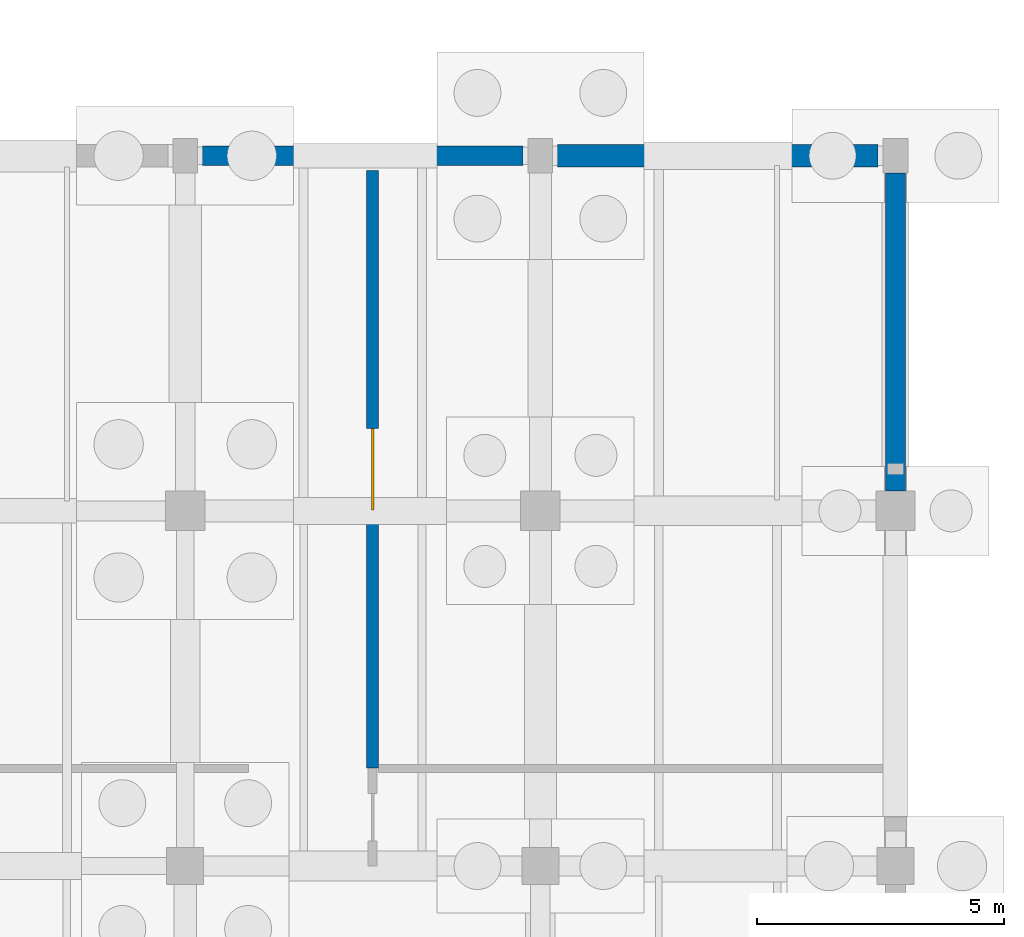
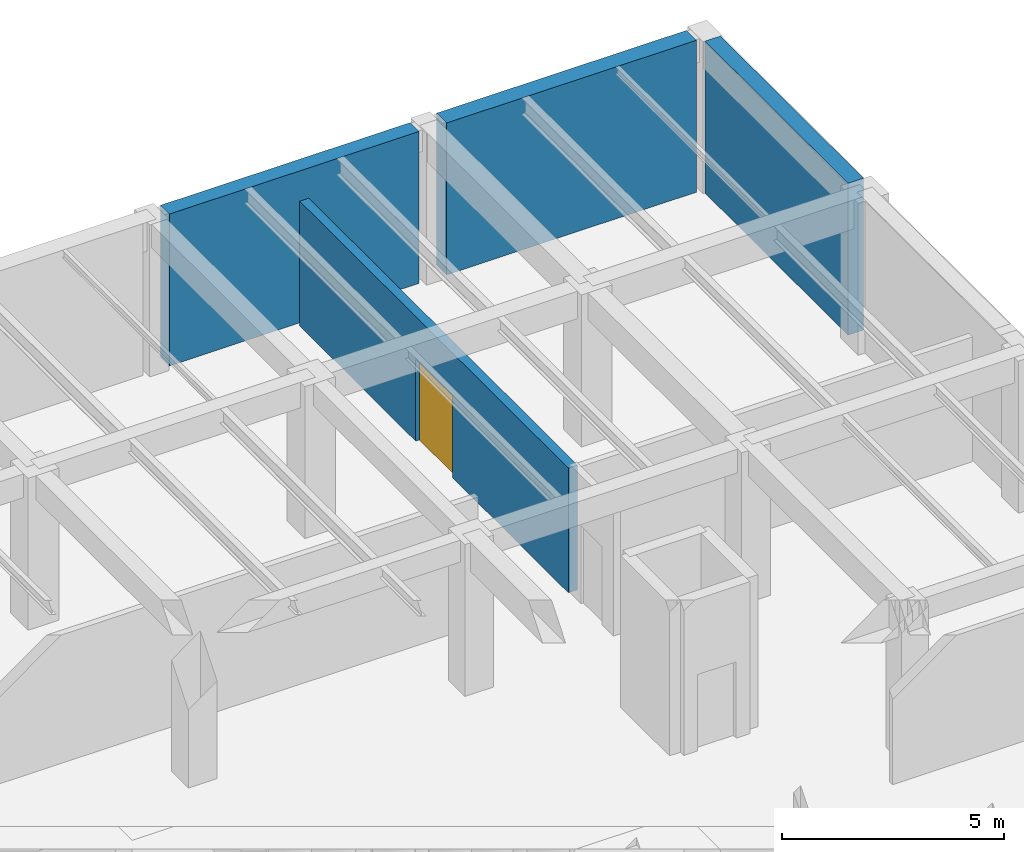
# One storey, part 50 of 63: 4 walls, 1 door, 1 opening.
"""IFC4 building model written with IfcOpenShell, lengths in metres."""

from ifc_helpers import new_model, si_unit, direction, frame, frame_2d, origin, place, context, subcontext, project, spatial, rectangle, extrude, material, layer, layer_set, type_object, element, fill, save


model = new_model("IFC4")

# Units and contexts
model_context = context("Model", 3, precision=1e-05, world=origin(), true_north=direction((0.0, 1.0)))
body_context = subcontext(model_context, "Body", "Model", "MODEL_VIEW")
ifc_project = project(units=[si_unit("LENGTHUNIT", "METRE"), si_unit("AREAUNIT", "SQUARE_METRE"), si_unit("VOLUMEUNIT", "CUBIC_METRE"), si_unit("PLANEANGLEUNIT", "RADIAN"), si_unit("MASSUNIT", "GRAM", prefix="KILO")], contexts=[model_context])

# Site, building, storey
site_placement = place(None, origin())
site = spatial("IfcSite", under=ifc_project, at=site_placement, CompositionType="ELEMENT")
building_placement = place(site_placement, origin())
building = spatial("IfcBuilding", under=site, at=building_placement, Name="Mazaris Harbour Polytechnic", CompositionType="ELEMENT")
storey_placement = place(building_placement, frame((0.0, 0.0, -4.5)))
storey = spatial("IfcBuildingStorey", under=building, at=storey_placement, Name="B1", CompositionType="ELEMENT", Elevation=-4.5)

# Wall, opening, door
ifc_material_1 = material(Name="Concrete C35/45", Category="concrete")
ifc_layer_1 = layer(ifc_material_1, 0.239990234375, Name="Concrete C35/45")
ifc_layer_set_1 = layer_set([ifc_layer_1], Name="Concrete C35/45")
wall_type_1 = type_object("IfcWallType", Name="Archive Vault Fire Wall 240", PredefinedType="STANDARD", material=ifc_layer_set_1)
wall_1_placement = place(storey_placement, frame((162.199951171875, 95.5849609375, 0.0), z_axis=(0.0, 0.0, 1.0), x_axis=(0.0, 1.0, 0.0)))
wall_1 = element("IfcWall", 1, at=wall_1_placement, inside=storey, type_object=wall_type_1, Name="V5 B1 Partition 541", PredefinedType="STANDARD", context=body_context, shape_type="SweptSolid", body=[
    extrude(rectangle(XDim=12.114990234375, YDim=0.239990234375, at=frame_2d((6.0576171875, 0.0))), origin(), (0.0, 0.0, 1.0), 3.429931640625),
])
opening_placement = place(wall_1_placement, frame((5.232421875, 0.0, 0.0)))
opening = element("IfcOpeningElement", 2, at=opening_placement, cuts=wall_1, Name="Opening ID-06D", PredefinedType="OPENING", context=body_context, shape_type="SweptSolid", body=[
    extrude(rectangle(XDim=1.64990234375, YDim=2.25, at=frame_2d((0.824951171875, 1.125))), frame((0.0, 0.1298828125, 0.0), z_axis=(0.0, -1.0, 0.0), x_axis=(1.0, 0.0, 0.0)), (0.0, 0.0, 1.0), 0.260009765625),
])
ifc_material_2 = material(Name="Galvanised Steel S355", Category="steel")
door_type = type_object("IfcDoorType", Name="Plant and Substation Double Door 1650x2250", OperationType="DOUBLE_DOOR_SINGLE_SWING", PredefinedType="DOOR", material=ifc_material_2)
door_placement = place(opening_placement, origin())
door = element("IfcDoor", 3, at=door_placement, inside=storey, type_object=door_type, Name="ID-0258", OperationType="DOUBLE_DOOR_SINGLE_SWING", OverallHeight=2.25, OverallWidth=1.64990234375, PredefinedType="DOOR", context=body_context, shape_type="SweptSolid", body=[
    extrude(rectangle(XDim=1.64990234375, YDim=2.25, at=frame_2d((0.824951171875, 1.125))), frame((0.0, 0.02490234375, 0.0), z_axis=(0.0, -1.0, 0.0), x_axis=(1.0, 0.0, 0.0)), (0.0, 0.0, 1.0), 0.050048828125),
])
fill(opening, door)

# Walls
ifc_material_3 = material(Name="Concrete C35/45", Category="concrete")
ifc_layer_2 = layer(ifc_material_3, 0.39990234375, Name="Concrete C35/45")
ifc_layer_set_2 = layer_set([ifc_layer_2], Name="Concrete C35/45")
wall_type_2 = type_object("IfcWallType", Name="RC Basement Retaining Wall 400", PredefinedType="USERDEFINED", material=ifc_layer_set_2)
wall_2_placement = place(storey_placement, frame((158.75, 108.0, 0.0), z_axis=(0.0, 0.0, 1.0), x_axis=(1.0, 0.0, 0.0)))
element("IfcWall", 4, at=wall_2_placement, inside=storey, type_object=wall_type_2, Name="V5 B1 Retaining Wall 114", ObjectType="RETAINING WALL", PredefinedType="USERDEFINED", context=body_context, shape_type="SweptSolid", body=[
    extrude(rectangle(XDim=6.5, YDim=0.39990234375, at=frame_2d((3.25, 0.0))), origin(), (0.0, 0.0, 1.0), 4.179931640625),
])
wall_3_placement = place(storey_placement, frame((172.800048828125, 101.199951171875, 0.0), z_axis=(0.0, 0.0, 1.0), x_axis=(0.0, 1.0, 0.0)))
element("IfcWall", 5, at=wall_3_placement, inside=storey, type_object=wall_type_2, Name="V5 B1 Retaining Wall 132", ObjectType="RETAINING WALL", PredefinedType="USERDEFINED", context=body_context, shape_type="SweptSolid", body=[
    extrude(rectangle(XDim=6.449951171875, YDim=0.39990234375, at=frame_2d((3.22509765625, 0.0))), origin(), (0.0, 0.0, 1.0), 4.179931640625),
])
ifc_material_4 = material(Name="Concrete C35/45", Category="concrete")
ifc_layer_3 = layer(ifc_material_4, 0.449951171875, Name="Concrete C35/45")
ifc_layer_set_3 = layer_set([ifc_layer_3], Name="Concrete C35/45")
wall_type_3 = type_object("IfcWallType", Name="RC Basement Retaining Wall 450", PredefinedType="USERDEFINED", material=ifc_layer_set_3)
wall_4_placement = place(storey_placement, frame((165.949951171875, 108.0, 0.0), z_axis=(0.0, 0.0, 1.0), x_axis=(1.0, 0.0, 0.0)))
element("IfcWall", 6, at=wall_4_placement, inside=storey, type_object=wall_type_3, Name="V5 B1 Retaining Wall 115", ObjectType="RETAINING WALL", PredefinedType="USERDEFINED", context=body_context, shape_type="SweptSolid", body=[
    extrude(rectangle(XDim=6.5, YDim=0.449951171875, at=frame_2d((3.25, 0.0))), origin(), (0.0, 0.0, 1.0), 4.179931640625),
])

save(model, "model.ifc")
